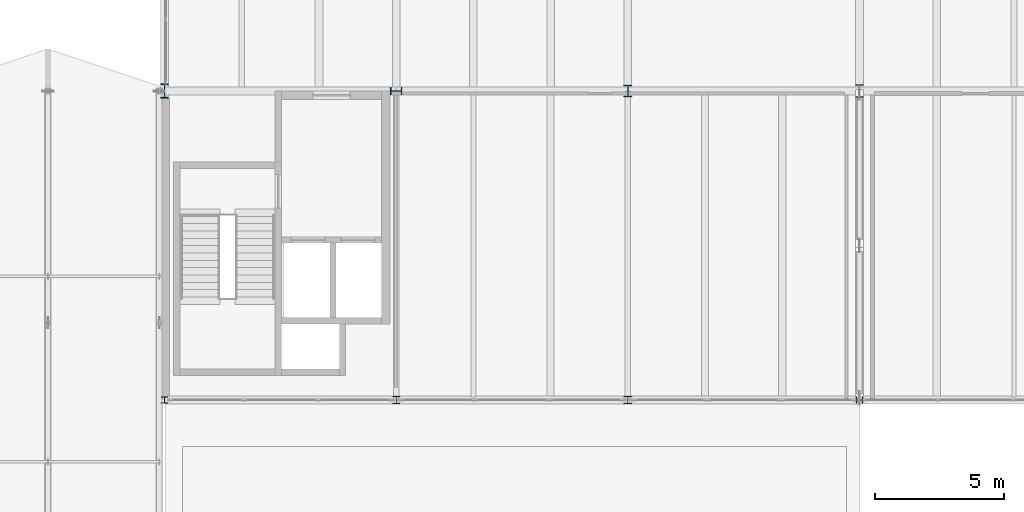
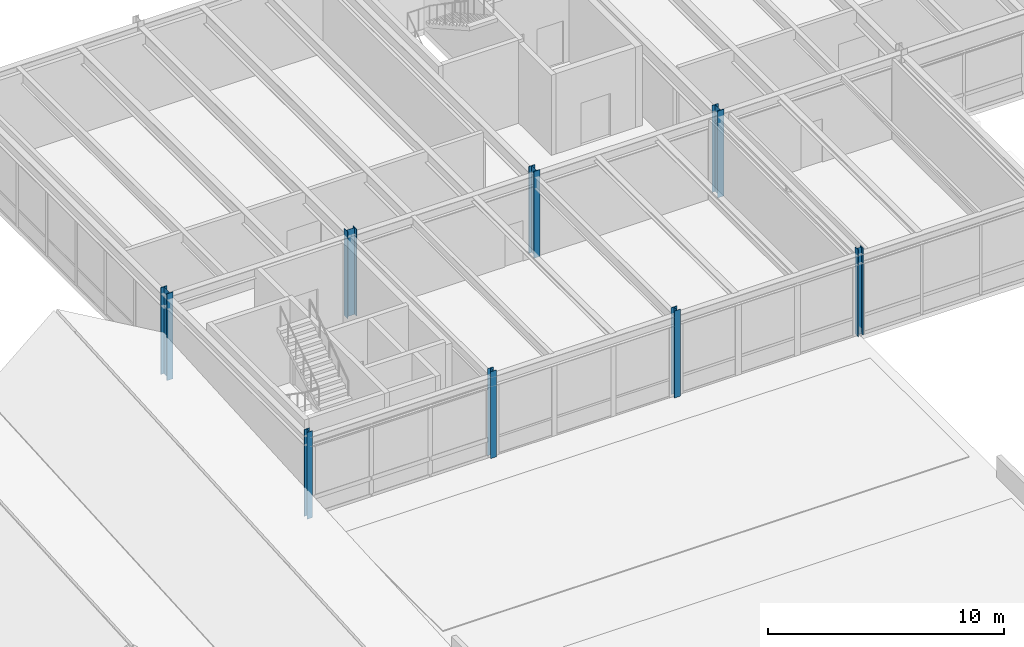
# One storey, part 6 of 142: 8 columns.
"""IFC4 building model written with IfcOpenShell, lengths in metres."""

from ifc_helpers import new_model, si_unit, direction, frame, origin, origin_2d, place, context, subcontext, project, spatial, i_section, extrude, material, material_profile, profile_set, type_object, element, save


model = new_model("IFC4")

# Units and contexts
model_context = context("Model", 3, precision=1e-05, world=origin(), true_north=direction((0.0, 1.0)))
body_context = subcontext(model_context, "Body", "Model", "MODEL_VIEW")
ifc_project = project(units=[si_unit("LENGTHUNIT", "METRE"), si_unit("AREAUNIT", "SQUARE_METRE"), si_unit("VOLUMEUNIT", "CUBIC_METRE"), si_unit("PLANEANGLEUNIT", "RADIAN"), si_unit("MASSUNIT", "GRAM", prefix="KILO")], contexts=[model_context])

# Site, building, storey
site_placement = place(None, origin())
site = spatial("IfcSite", under=ifc_project, at=site_placement, CompositionType="ELEMENT")
building_placement = place(site_placement, origin())
building = spatial("IfcBuilding", under=site, at=building_placement, Name="Montelvaro Courts of Justice", CompositionType="ELEMENT")
storey_placement = place(building_placement, frame((0.0, 0.0, 14.39990234375)))
storey = spatial("IfcBuildingStorey", under=building, at=storey_placement, Name="L03", CompositionType="ELEMENT", Elevation=14.39990234375)

# Columns
ifc_material = material(Name="Steel S355", Category="steel")
ifc_material_profile_1 = material_profile(ifc_material, i_section(OverallWidth=0.260009765625, OverallDepth=0.260009765625, WebThickness=0.010009765625, FlangeThickness=0.017578125, at=origin_2d()), Name="HEB 260")
ifc_profile_set_1 = profile_set([ifc_material_profile_1], Name="Steel S355")
column_type_1 = type_object("IfcColumnType", Name="Col_HEB260", PredefinedType="COLUMN", material=ifc_profile_set_1)
for number, where, z_axis, x_axis, name in (
    (1, (99.0, 66.0, 0.0), (0.0, 0.0, 1.0), (1.0, 0.0, 0.0), "Column C-01 L03 12/F"),
    (2, (126.0, 66.0, 0.0), (0.0, 0.0, 1.0), (0.0, 1.0, 0.0), "Column C-01 L03 15/F"),
):
    element("IfcColumn", number, at=place(storey_placement, frame(where, z_axis=z_axis, x_axis=x_axis)), inside=storey, type_object=column_type_1, Name=name, PredefinedType="COLUMN", context=body_context, shape_type="SweptSolid", body=[
        extrude(i_section(OverallWidth=0.260009765625, OverallDepth=0.260009765625, WebThickness=0.010009765625, FlangeThickness=0.017578125, at=origin_2d()), origin(), (0.0, 0.0, 1.0), 4.5),
    ])
ifc_material_profile_2 = material_profile(ifc_material, i_section(OverallWidth=0.280029296875, OverallDepth=0.280029296875, WebThickness=0.010498046875, FlangeThickness=0.01806640625, at=origin_2d()), Name="HEB 280")
ifc_profile_set_2 = profile_set([ifc_material_profile_2], Name="Steel S355")
column_type_2 = type_object("IfcColumnType", Name="Col_HEB280", PredefinedType="COLUMN", material=ifc_profile_set_2)
column_1_placement = place(storey_placement, frame((108.0, 66.0, 0.0), z_axis=(0.0, 0.0, 1.0), x_axis=(1.0, 0.0, 0.0)))
element("IfcColumn", 3, at=column_1_placement, inside=storey, type_object=column_type_2, Name="Column C-02 L03 13/F", PredefinedType="COLUMN", context=body_context, shape_type="SweptSolid", body=[
    extrude(i_section(OverallWidth=0.280029296875, OverallDepth=0.280029296875, WebThickness=0.010498046875, FlangeThickness=0.01806640625, at=origin_2d()), origin(), (0.0, 0.0, 1.0), 4.5),
])
ifc_material_profile_3 = material_profile(ifc_material, i_section(OverallWidth=0.300048828125, OverallDepth=0.300048828125, WebThickness=0.010986328125, FlangeThickness=0.01904296875, at=origin_2d()), Name="HEB 300")
ifc_profile_set_3 = profile_set([ifc_material_profile_3], Name="Steel S355")
column_type_3 = type_object("IfcColumnType", Name="Col_HEB300", PredefinedType="COLUMN", material=ifc_profile_set_3)
column_2_placement = place(storey_placement, frame((117.0, 66.0, 0.0), z_axis=(0.0, 0.0, 1.0), x_axis=(1.0, 0.0, 0.0)))
element("IfcColumn", 4, at=column_2_placement, inside=storey, type_object=column_type_3, Name="Column C-03 L03 14/F", PredefinedType="COLUMN", context=body_context, shape_type="SweptSolid", body=[
    extrude(i_section(OverallWidth=0.300048828125, OverallDepth=0.300048828125, WebThickness=0.010986328125, FlangeThickness=0.01904296875, at=origin_2d()), origin(), (0.0, 0.0, 1.0), 4.5),
])
ifc_material_profile_4 = material_profile(ifc_material, i_section(OverallWidth=0.300048828125, OverallDepth=0.449951171875, WebThickness=0.013916015625, FlangeThickness=0.02587890625, at=origin_2d()), Name="HEB 450")
ifc_profile_set_4 = profile_set([ifc_material_profile_4], Name="Steel S355")
column_type_4 = type_object("IfcColumnType", Name="Col_HEB450", PredefinedType="COLUMN", material=ifc_profile_set_4)
for number, where, z_axis, x_axis, name in (
    (5, (108.0, 78.0, 0.0), (0.0, 0.0, 1.0), (0.0, 1.0, 0.0), "Column C-08 L03 13/G"),
    (6, (117.0, 78.0, 0.0), (0.0, 0.0, 1.0), (1.0, 0.0, 0.0), "Column C-08 L03 14/G"),
):
    element("IfcColumn", number, at=place(storey_placement, frame(where, z_axis=z_axis, x_axis=x_axis)), inside=storey, type_object=column_type_4, Name=name, PredefinedType="COLUMN", context=body_context, shape_type="SweptSolid", body=[
        extrude(i_section(OverallWidth=0.300048828125, OverallDepth=0.449951171875, WebThickness=0.013916015625, FlangeThickness=0.02587890625, at=origin_2d()), origin(), (0.0, 0.0, 1.0), 4.5),
    ])
ifc_material_profile_5 = material_profile(ifc_material, i_section(OverallWidth=0.300048828125, OverallDepth=0.5, WebThickness=0.014404296875, FlangeThickness=0.028076171875, at=origin_2d()), Name="HEB 500")
ifc_profile_set_5 = profile_set([ifc_material_profile_5], Name="Steel S355")
column_type_5 = type_object("IfcColumnType", Name="Col_HEB500", PredefinedType="COLUMN", material=ifc_profile_set_5)
column_3_placement = place(storey_placement, frame((126.0, 78.0, 0.0), z_axis=(0.0, 0.0, 1.0), x_axis=(1.0, 0.0, 0.0)))
element("IfcColumn", 7, at=column_3_placement, inside=storey, type_object=column_type_5, Name="Column C-09 L03 15/G", PredefinedType="COLUMN", context=body_context, shape_type="SweptSolid", body=[
    extrude(i_section(OverallWidth=0.300048828125, OverallDepth=0.5, WebThickness=0.014404296875, FlangeThickness=0.028076171875, at=origin_2d()), origin(), (0.0, 0.0, 1.0), 4.5),
])
ifc_material_profile_6 = material_profile(ifc_material, i_section(OverallWidth=0.300048828125, OverallDepth=0.550048828125, WebThickness=0.014892578125, FlangeThickness=0.029052734375, at=origin_2d()), Name="HEB 550")
ifc_profile_set_6 = profile_set([ifc_material_profile_6], Name="Steel S355")
column_type_6 = type_object("IfcColumnType", Name="Col_HEB550", PredefinedType="COLUMN", material=ifc_profile_set_6)
column_4_placement = place(storey_placement, frame((99.0, 78.0, 0.0), z_axis=(0.0, 0.0, 1.0), x_axis=(1.0, 0.0, 0.0)))
element("IfcColumn", 8, at=column_4_placement, inside=storey, type_object=column_type_6, Name="Column C-10 L03 12/G", PredefinedType="COLUMN", context=body_context, shape_type="SweptSolid", body=[
    extrude(i_section(OverallWidth=0.300048828125, OverallDepth=0.550048828125, WebThickness=0.014892578125, FlangeThickness=0.029052734375, at=origin_2d()), origin(), (0.0, 0.0, 1.0), 4.5),
])

save(model, "model.ifc")
